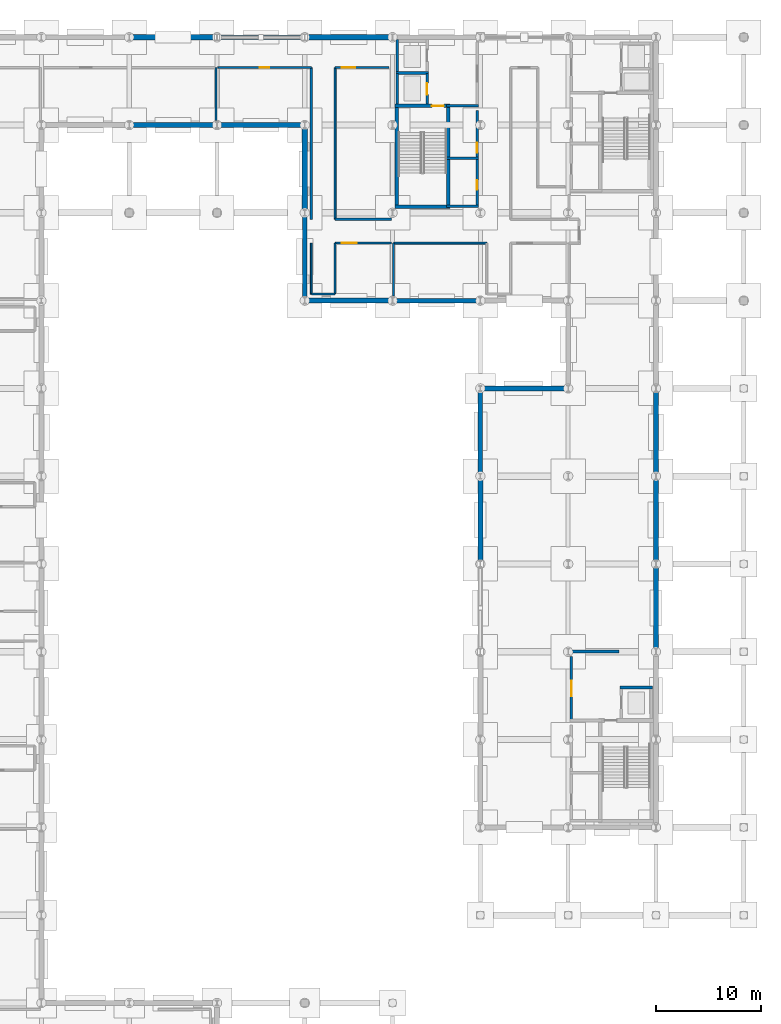
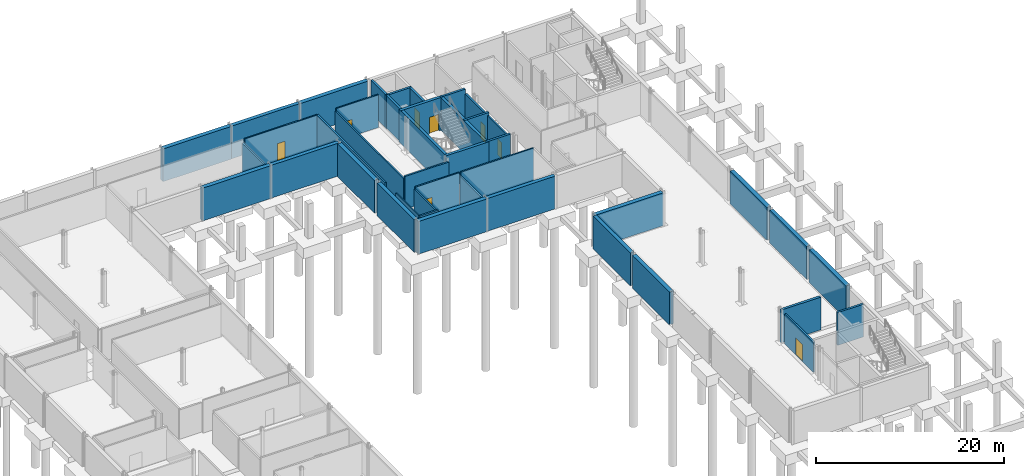
# One storey, part 32 of 43: 43 walls, 8 doors, 8 openings.
"""IFC4 building model written with IfcOpenShell, lengths in metres."""

from ifc_helpers import new_model, si_unit, direction, frame, frame_2d, origin, place, context, subcontext, project, spatial, rectangle, extrude, material, layer, layer_set, type_object, element, fill, save


model = new_model("IFC4")

# Units and contexts
model_context = context("Model", 3, precision=1e-05, world=origin(), true_north=direction((0.0, 1.0)))
body_context = subcontext(model_context, "Body", "Model", "MODEL_VIEW")
ifc_project = project(units=[si_unit("LENGTHUNIT", "METRE"), si_unit("AREAUNIT", "SQUARE_METRE"), si_unit("VOLUMEUNIT", "CUBIC_METRE"), si_unit("PLANEANGLEUNIT", "RADIAN"), si_unit("MASSUNIT", "GRAM", prefix="KILO")], contexts=[model_context])

# Site, building, storey
site_placement = place(None, origin())
site = spatial("IfcSite", under=ifc_project, at=site_placement, CompositionType="ELEMENT")
building_placement = place(site_placement, origin())
building = spatial("IfcBuilding", under=site, at=building_placement, Name="Mersafa Astral City Hall", CompositionType="ELEMENT")
storey_placement = place(building_placement, frame((0.0, 0.0, -4.5)))
storey = spatial("IfcBuildingStorey", under=building, at=storey_placement, Name="B1", CompositionType="ELEMENT", Elevation=-4.5)

# Walls
ifc_material_1 = material(Name="Concrete C40/50", Category="concrete")
ifc_layer_1 = layer(ifc_material_1, 0.449951171875, Name="Concrete C40/50")
ifc_layer_set_1 = layer_set([ifc_layer_1], Name="Concrete C40/50 — ENV-WAL-RET-450")
wall_type_1 = type_object("IfcWallType", Name="ENV-WAL-RET-450", PredefinedType="USERDEFINED", material=ifc_layer_set_1)
wall_1_placement = place(storey_placement, frame((134.407958984375, 117.60009765625, 0.0), z_axis=(0.0, 0.0, 1.0), x_axis=(1.0, 0.0, 0.0)))
element("IfcWall", 1, at=wall_1_placement, inside=storey, type_object=wall_type_1, Name="B1 Perimeter retaining wall 15", ObjectType="RETAININGWALL", PredefinedType="USERDEFINED", context=body_context, shape_type="SweptSolid", body=[
    extrude(rectangle(XDim=8.384033203125, YDim=0.449951171875, at=frame_2d((4.19189453125, 0.0))), origin(), (0.0, 0.0, 1.0), 4.25),
])
wall_2_placement = place(storey_placement, frame((142.800048828125, 108.9150390625, 0.0), z_axis=(0.0, 0.0, 1.0), x_axis=(0.0, -1.0, 0.0)))
element("IfcWall", 2, at=wall_2_placement, inside=storey, type_object=wall_type_1, Name="B1 Perimeter retaining wall 17", ObjectType="RETAININGWALL", PredefinedType="USERDEFINED", context=body_context, shape_type="SweptSolid", body=[
    extrude(rectangle(XDim=7.830078125, YDim=0.449951171875, at=frame_2d((3.9150390625, 0.0))), origin(), (0.0, 0.0, 1.0), 4.25),
])
wall_3_placement = place(storey_placement, frame((151.2080078125, 100.800048828125, 0.0), z_axis=(0.0, 0.0, 1.0), x_axis=(1.0, 0.0, 0.0)))
element("IfcWall", 3, at=wall_3_placement, inside=storey, type_object=wall_type_1, Name="B1 Perimeter retaining wall 19", ObjectType="RETAININGWALL", PredefinedType="USERDEFINED", context=body_context, shape_type="SweptSolid", body=[
    extrude(rectangle(XDim=8.384033203125, YDim=0.449951171875, at=frame_2d((4.19189453125, 0.0))), origin(), (0.0, 0.0, 1.0), 4.25),
])
wall_4_placement = place(storey_placement, frame((159.60009765625, 92.1650390625, 0.0), z_axis=(0.0, 0.0, 1.0), x_axis=(0.0, -1.0, 0.0)))
element("IfcWall", 4, at=wall_4_placement, inside=storey, type_object=wall_type_1, Name="B1 Perimeter retaining wall 23", ObjectType="RETAININGWALL", PredefinedType="USERDEFINED", context=body_context, shape_type="SweptSolid", body=[
    extrude(rectangle(XDim=7.929931640625, YDim=0.449951171875, at=frame_2d((3.96484375, 0.0))), origin(), (0.0, 0.0, 1.0), 4.25),
])
wall_5_placement = place(storey_placement, frame((176.39990234375, 75.885009765625, 0.0), z_axis=(0.0, 0.0, 1.0), x_axis=(0.0, 1.0, 0.0)))
element("IfcWall", 5, at=wall_5_placement, inside=storey, type_object=wall_type_1, Name="B1 Perimeter retaining wall 33", ObjectType="RETAININGWALL", PredefinedType="USERDEFINED", context=body_context, shape_type="SweptSolid", body=[
    extrude(rectangle(XDim=7.830078125, YDim=0.449951171875, at=frame_2d((3.9150390625, 0.0))), origin(), (0.0, 0.0, 1.0), 4.25),
])
wall_6_placement = place(storey_placement, frame((142.7919921875, 126.0, 0.0), z_axis=(0.0, 0.0, 1.0), x_axis=(-1.0, 0.0, 0.0)))
element("IfcWall", 6, at=wall_6_placement, inside=storey, type_object=wall_type_1, Name="B1 Perimeter retaining wall 43", ObjectType="RETAININGWALL", PredefinedType="USERDEFINED", context=body_context, shape_type="SweptSolid", body=[
    extrude(rectangle(XDim=8.384033203125, YDim=0.449951171875, at=frame_2d((4.19189453125, 0.0))), origin(), (0.0, 0.0, 1.0), 4.25),
])
ifc_layer_2 = layer(ifc_material_1, 0.5, Name="Concrete C40/50")
ifc_layer_set_2 = layer_set([ifc_layer_2], Name="Concrete C40/50 — ENV-WAL-RET-500")
wall_type_2 = type_object("IfcWallType", Name="ENV-WAL-RET-500", PredefinedType="USERDEFINED", material=ifc_layer_set_2)
wall_7_placement = place(storey_placement, frame((126.008056640625, 117.60009765625, 0.0), z_axis=(0.0, 0.0, 1.0), x_axis=(1.0, 0.0, 0.0)))
element("IfcWall", 7, at=wall_7_placement, inside=storey, type_object=wall_type_2, Name="B1 Perimeter retaining wall 14", ObjectType="RETAININGWALL", PredefinedType="USERDEFINED", context=body_context, shape_type="SweptSolid", body=[
    extrude(rectangle(XDim=8.384033203125, YDim=0.5, at=frame_2d((4.19189453125, 0.0))), origin(), (0.0, 0.0, 1.0), 4.25),
])
wall_8_placement = place(storey_placement, frame((142.800048828125, 117.31494140625, 0.0), z_axis=(0.0, 0.0, 1.0), x_axis=(0.0, -1.0, 0.0)))
element("IfcWall", 8, at=wall_8_placement, inside=storey, type_object=wall_type_2, Name="B1 Perimeter retaining wall 16", ObjectType="RETAININGWALL", PredefinedType="USERDEFINED", context=body_context, shape_type="SweptSolid", body=[
    extrude(rectangle(XDim=7.829833984375, YDim=0.5, at=frame_2d((3.9150390625, 0.0))), origin(), (0.0, 0.0, 1.0), 4.25),
])
wall_9_placement = place(storey_placement, frame((142.80810546875, 100.800048828125, 0.0), z_axis=(0.0, 0.0, 1.0), x_axis=(1.0, 0.0, 0.0)))
element("IfcWall", 9, at=wall_9_placement, inside=storey, type_object=wall_type_2, Name="B1 Perimeter retaining wall 18", ObjectType="RETAININGWALL", PredefinedType="USERDEFINED", context=body_context, shape_type="SweptSolid", body=[
    extrude(rectangle(XDim=8.3837890625, YDim=0.5, at=frame_2d((4.19189453125, 0.0))), origin(), (0.0, 0.0, 1.0), 4.25),
])
wall_10_placement = place(storey_placement, frame((167.991943359375, 92.39990234375, 0.0), z_axis=(0.0, 0.0, 1.0), x_axis=(-1.0, 0.0, 0.0)))
element("IfcWall", 10, at=wall_10_placement, inside=storey, type_object=wall_type_2, Name="B1 Perimeter retaining wall 22", ObjectType="RETAININGWALL", PredefinedType="USERDEFINED", context=body_context, shape_type="SweptSolid", body=[
    extrude(rectangle(XDim=8.384033203125, YDim=0.5, at=frame_2d((4.19189453125, 0.0))), origin(), (0.0, 0.0, 1.0), 4.25),
])
wall_11_placement = place(storey_placement, frame((159.60009765625, 83.764892578125, 0.0), z_axis=(0.0, 0.0, 1.0), x_axis=(0.0, -1.0, 0.0)))
element("IfcWall", 11, at=wall_11_placement, inside=storey, type_object=wall_type_2, Name="B1 Perimeter retaining wall 24", ObjectType="RETAININGWALL", PredefinedType="USERDEFINED", context=body_context, shape_type="SweptSolid", body=[
    extrude(rectangle(XDim=7.8798828125, YDim=0.5, at=frame_2d((3.93994140625, 0.0))), origin(), (0.0, 0.0, 1.0), 4.25),
])
wall_12_placement = place(storey_placement, frame((176.39990234375, 67.485107421875, 0.0), z_axis=(0.0, 0.0, 1.0), x_axis=(0.0, 1.0, 0.0)))
element("IfcWall", 12, at=wall_12_placement, inside=storey, type_object=wall_type_2, Name="B1 Perimeter retaining wall 32", ObjectType="RETAININGWALL", PredefinedType="USERDEFINED", context=body_context, shape_type="SweptSolid", body=[
    extrude(rectangle(XDim=7.829833984375, YDim=0.5, at=frame_2d((3.9150390625, 0.0))), origin(), (0.0, 0.0, 1.0), 4.25),
])
wall_13_placement = place(storey_placement, frame((176.39990234375, 84.284912109375, 0.0), z_axis=(0.0, 0.0, 1.0), x_axis=(0.0, 1.0, 0.0)))
element("IfcWall", 13, at=wall_13_placement, inside=storey, type_object=wall_type_2, Name="B1 Perimeter retaining wall 34", ObjectType="RETAININGWALL", PredefinedType="USERDEFINED", context=body_context, shape_type="SweptSolid", body=[
    extrude(rectangle(XDim=7.830078125, YDim=0.5, at=frame_2d((3.9150390625, 0.0))), origin(), (0.0, 0.0, 1.0), 4.25),
])
wall_14_placement = place(storey_placement, frame((151.19189453125, 126.0, 0.0), z_axis=(0.0, 0.0, 1.0), x_axis=(-1.0, 0.0, 0.0)))
element("IfcWall", 14, at=wall_14_placement, inside=storey, type_object=wall_type_2, Name="B1 Perimeter retaining wall 42", ObjectType="RETAININGWALL", PredefinedType="USERDEFINED", context=body_context, shape_type="SweptSolid", body=[
    extrude(rectangle(XDim=8.3837890625, YDim=0.5, at=frame_2d((4.19189453125, 0.0))), origin(), (0.0, 0.0, 1.0), 4.25),
])
wall_15_placement = place(storey_placement, frame((134.39208984375, 126.0, 0.0), z_axis=(0.0, 0.0, 1.0), x_axis=(-1.0, 0.0, 0.0)))
element("IfcWall", 15, at=wall_15_placement, inside=storey, type_object=wall_type_2, Name="B1 Perimeter retaining wall 44", ObjectType="RETAININGWALL", PredefinedType="USERDEFINED", context=body_context, shape_type="SweptSolid", body=[
    extrude(rectangle(XDim=8.384033203125, YDim=0.5, at=frame_2d((4.19189453125, 0.0))), origin(), (0.0, 0.0, 1.0), 4.25),
])
ifc_layer_3 = layer(ifc_material_1, 0.260009765625, Name="Concrete C40/50")
ifc_layer_set_3 = layer_set([ifc_layer_3], Name="Concrete C40/50 — INT-WAL-CORE-260")
wall_type_3 = type_object("IfcWallType", Name="INT-WAL-CORE-260", PredefinedType="SHEAR", material=ifc_layer_set_3)
wall_16_placement = place(storey_placement, frame((151.514892578125, 122.5849609375, 0.0), z_axis=(0.0, 0.0, 1.0), x_axis=(1.0, 0.0, 0.0)))
element("IfcWall", 16, at=wall_16_placement, inside=storey, type_object=wall_type_3, Name="B1 Lift LF1 north shaft wall", PredefinedType="SHEAR", context=body_context, shape_type="SweptSolid", body=[
    extrude(rectangle(XDim=3.130126953125, YDim=0.260009765625, at=frame_2d((1.56494140625, 0.0))), origin(), (0.0, 0.0, 1.0), 4.25),
])
wall_17_placement = place(storey_placement, frame((151.64501953125, 119.596923828125, 0.0), z_axis=(0.0, 0.0, 1.0), x_axis=(0.0, 1.0, 0.0)))
element("IfcWall", 17, at=wall_17_placement, inside=storey, type_object=wall_type_3, Name="B1 Lift LF1 back shaft wall", PredefinedType="SHEAR", context=body_context, shape_type="SweptSolid", body=[
    extrude(rectangle(XDim=2.947998046875, YDim=0.260009765625, at=frame_2d((1.47412109375, 0.0))), origin(), (0.0, 0.0, 1.0), 4.25),
])

# Wall, opening, door
wall_18_placement = place(storey_placement, frame((154.514892578125, 119.596923828125, 0.0), z_axis=(0.0, 0.0, 1.0), x_axis=(0.0, 1.0, 0.0)))
wall_18 = element("IfcWall", 18, at=wall_18_placement, inside=storey, type_object=wall_type_3, Name="B1 Lift LF1 front shaft wall", PredefinedType="SHEAR", context=body_context, shape_type="SweptSolid", body=[
    extrude(rectangle(XDim=2.947998046875, YDim=0.260009765625, at=frame_2d((1.47412109375, 0.0))), origin(), (0.0, 0.0, 1.0), 4.25),
])
opening_1_placement = place(wall_18_placement, frame((0.924072265625, 0.0, 0.0)))
opening_1 = element("IfcOpeningElement", 19, at=opening_1_placement, cuts=wall_18, Name="Opening LD-1", PredefinedType="OPENING", context=body_context, shape_type="SweptSolid", body=[
    extrude(rectangle(XDim=1.10009765625, YDim=2.14990234375, at=frame_2d((0.550048828125, 1.074951171875))), frame((0.0, 0.139892578125, 0.0), z_axis=(0.0, -1.0, 0.0), x_axis=(1.0, 0.0, 0.0)), (0.0, 0.0, 1.0), 0.280029296875),
])
ifc_material_2 = material(Name="Stainless steel sliding lift landing door", Category="steel")
door_type_1 = type_object("IfcDoorType", Name="INT-DR-LIFT-LD1", OperationType="NOTDEFINED", PredefinedType="DOOR", material=ifc_material_2)
door_1_placement = place(opening_1_placement, origin())
door_1 = element("IfcDoor", 20, at=door_1_placement, inside=storey, type_object=door_type_1, Name="Elevator LF1 Sliding Landing Door B1", OperationType="DOUBLE_DOOR_SLIDING", OverallHeight=2.14990234375, OverallWidth=1.10009765625, PredefinedType="DOOR", context=body_context, shape_type="SweptSolid", body=[
    extrude(rectangle(XDim=1.10009765625, YDim=2.14990234375, at=frame_2d((0.550048828125, 1.074951171875))), frame((0.0, 0.02490234375, 0.0), z_axis=(0.0, -1.0, 0.0), x_axis=(1.0, 0.0, 0.0)), (0.0, 0.0, 1.0), 0.050048828125),
])
fill(opening_1, door_1)

# Walls
wall_19_placement = place(storey_placement, frame((151.64501953125, 122.705078125, 0.0), z_axis=(0.0, 0.0, 1.0), x_axis=(0.0, 1.0, 0.0)))
element("IfcWall", 21, at=wall_19_placement, inside=storey, type_object=wall_type_3, Name="B1 Lift LF3 back shaft wall", PredefinedType="SHEAR", context=body_context, shape_type="SweptSolid", body=[
    extrude(rectangle(XDim=3.059814453125, YDim=0.260009765625, at=frame_2d((1.52978515625, 0.0))), origin(), (0.0, 0.0, 1.0), 4.25),
])
for number, where, z_axis, x_axis, name in (
    (22, (156.364990234375, 109.820068359375, 0.0), (0.0, 0.0, 1.0), (1.0, 0.0, 0.0), "B1 Core K1 riser south wall"),
    (23, (156.364990234375, 114.43505859375, 0.0), (0.0, 0.0, 1.0), (1.0, 0.0, 0.0), "B1 Core K1 riser-restroom divider wall"),
    (24, (156.364990234375, 119.43505859375, 0.0), (0.0, 0.0, 1.0), (1.0, 0.0, 0.0), "B1 Core K1 restroom-lobby divider wall"),
):
    element("IfcWall", number, at=place(storey_placement, frame(where, z_axis=z_axis, x_axis=x_axis)), inside=storey, type_object=wall_type_3, Name=name, PredefinedType="SHEAR", context=body_context, shape_type="SweptSolid", body=[
        extrude(rectangle(XDim=3.034912109375, YDim=0.260009765625, at=frame_2d((1.517578125, 0.0))), origin(), (0.0, 0.0, 1.0), 4.25),
    ])
wall_20_placement = place(storey_placement, frame((172.955078125, 63.784912109375, 0.0), z_axis=(0.0, 0.0, 1.0), x_axis=(1.0, 0.0, 0.0)))
element("IfcWall", 25, at=wall_20_placement, inside=storey, type_object=wall_type_3, Name="B1 Lift LF6 north shaft wall", PredefinedType="SHEAR", context=body_context, shape_type="SweptSolid", body=[
    extrude(rectangle(XDim=3.1298828125, YDim=0.260009765625, at=frame_2d((1.56494140625, 0.0))), origin(), (0.0, 0.0, 1.0), 4.25),
])
ifc_layer_4 = layer(ifc_material_1, 0.300048828125, Name="Concrete C40/50")
ifc_layer_set_4 = layer_set([ifc_layer_4], Name="Concrete C40/50 — INT-WAL-CORE-300")
wall_type_4 = type_object("IfcWallType", Name="INT-WAL-CORE-300", PredefinedType="SHEAR", material=ifc_layer_set_4)
wall_21_placement = place(storey_placement, frame((167.97998046875, 67.2099609375, 0.0), z_axis=(0.0, 0.0, 1.0), x_axis=(1.0, 0.0, 0.0)))
element("IfcWall", 26, at=wall_21_placement, inside=storey, type_object=wall_type_4, Name="B1 Core K4 lobby north shear wall", PredefinedType="SHEAR", context=body_context, shape_type="SweptSolid", body=[
    extrude(rectangle(XDim=4.8701171875, YDim=0.300048828125, at=frame_2d((2.43505859375, 0.0))), origin(), (0.0, 0.0, 1.0), 4.25),
])
ifc_layer_5 = layer(ifc_material_1, 0.340087890625, Name="Concrete C40/50")
ifc_layer_set_5 = layer_set([ifc_layer_5], Name="Concrete C40/50 — INT-WAL-CORE-340")
wall_type_5 = type_object("IfcWallType", Name="INT-WAL-CORE-340", PredefinedType="SHEAR", material=ifc_layer_set_5)
for number, where, z_axis, x_axis, name in (
    (27, (151.60498046875, 109.60498046875, 0.0), (0.0, 0.0, 1.0), (0.0, 1.0, 0.0), "B1 Core K1 stair west shear wall"),
    (28, (156.514892578125, 109.60498046875, 0.0), (0.0, 0.0, 1.0), (0.0, 1.0, 0.0), "B1 Core K1 stair east shear wall"),
):
    element("IfcWall", number, at=place(storey_placement, frame(where, z_axis=z_axis, x_axis=x_axis)), inside=storey, type_object=wall_type_5, Name=name, PredefinedType="SHEAR", context=body_context, shape_type="SweptSolid", body=[
        extrude(rectangle(XDim=9.989990234375, YDim=0.340087890625, at=frame_2d((4.9951171875, 0.0))), origin(), (0.0, 0.0, 1.0), 4.25),
    ])
wall_22_placement = place(storey_placement, frame((151.43505859375, 109.77490234375, 0.0), z_axis=(0.0, 0.0, 1.0), x_axis=(1.0, 0.0, 0.0)))
element("IfcWall", 29, at=wall_22_placement, inside=storey, type_object=wall_type_5, Name="B1 Core K1 stair south shear wall", PredefinedType="SHEAR", context=body_context, shape_type="SweptSolid", body=[
    extrude(rectangle(XDim=5.25, YDim=0.340087890625, at=frame_2d((2.625, 0.0))), origin(), (0.0, 0.0, 1.0), 4.25),
])

# Wall, opening, door
wall_23_placement = place(storey_placement, frame((151.43505859375, 119.425048828125, 0.0), z_axis=(0.0, 0.0, 1.0), x_axis=(1.0, 0.0, 0.0)))
wall_23 = element("IfcWall", 30, at=wall_23_placement, inside=storey, type_object=wall_type_5, Name="B1 Core K1 stair-lobby fire wall", PredefinedType="SHEAR", context=body_context, shape_type="SweptSolid", body=[
    extrude(rectangle(XDim=5.25, YDim=0.340087890625, at=frame_2d((2.625, 0.0))), origin(), (0.0, 0.0, 1.0), 4.25),
])
opening_2_placement = place(wall_23_placement, frame((3.534912109375, 0.0, 0.0)))
opening_2 = element("IfcOpeningElement", 31, at=opening_2_placement, cuts=wall_23, Name="Opening CD-1", PredefinedType="OPENING", context=body_context, shape_type="SweptSolid", body=[
    extrude(rectangle(XDim=1.14990234375, YDim=2.14990234375, at=frame_2d((0.574951171875, 1.074951171875))), frame((0.0, 0.179931640625, 0.0), z_axis=(0.0, -1.0, 0.0), x_axis=(1.0, 0.0, 0.0)), (0.0, 0.0, 1.0), 0.360107421875),
])
ifc_material_3 = material(Name="Fire-rated steel stair door", Category="steel")
door_type_2 = type_object("IfcDoorType", Name="INT-DR-STAIR-FD90-1150", OperationType="NOTDEFINED", PredefinedType="DOOR", material=ifc_material_3)
door_2_placement = place(opening_2_placement, origin())
door_2 = element("IfcDoor", 32, at=door_2_placement, inside=storey, type_object=door_type_2, Name="B1 Protected Stair ST1 Door", OperationType="SINGLE_SWING_LEFT", OverallHeight=2.14990234375, OverallWidth=1.14990234375, PredefinedType="DOOR", context=body_context, shape_type="SweptSolid", body=[
    extrude(rectangle(XDim=1.14990234375, YDim=2.14990234375, at=frame_2d((0.574951171875, 1.074951171875))), frame((0.0, 0.02490234375, 0.0), z_axis=(0.0, -1.0, 0.0), x_axis=(1.0, 0.0, 0.0)), (0.0, 0.0, 1.0), 0.050048828125),
])
fill(opening_2, door_2)

ifc_material_4 = material(Name="Fire-rated gypsum stud partition", Category="gypsum")
ifc_layer_6 = layer(ifc_material_4, 0.1650390625, Name="Fire-rated gypsum stud partition")
ifc_layer_set_6 = layer_set([ifc_layer_6], Name="Fire-rated gypsum stud partition — INT-WAL-PART-EI60-165")
wall_type_6 = type_object("IfcWallType", Name="INT-WAL-PART-EI60-165", PredefinedType="STANDARD", material=ifc_layer_set_6)
wall_24_placement = place(storey_placement, frame((145.699951171875, 123.10009765625, -0.00390625), z_axis=(0.0, 0.0, 1.0), x_axis=(1.0, 0.0, 0.0)))
wall_24 = element("IfcWall", 33, at=wall_24_placement, inside=storey, type_object=wall_type_6, Name="B1 Interior partition wall 75", PredefinedType="STANDARD", context=body_context, shape_type="SweptSolid", body=[
    extrude(rectangle(XDim=5.16015625, YDim=0.1650390625, at=frame_2d((2.580078125, 0.0))), origin(), (0.0, 0.0, 1.0), 4.25390625),
])
opening_3_placement = place(wall_24_placement, frame((0.64990234375, 0.0, 0.014892578125)))
opening_3 = element("IfcOpeningElement", 34, at=opening_3_placement, cuts=wall_24, Name="Opening D-15", PredefinedType="OPENING", context=body_context, shape_type="SweptSolid", body=[
    extrude(rectangle(XDim=1.280029296875, YDim=2.139892578125, at=frame_2d((0.64013671875, 1.06982421875))), frame((0.0, 0.092529296875, 0.0), z_axis=(0.0, -1.0, 0.0), x_axis=(1.0, 0.0, 0.0)), (0.0, 0.0, 1.0), 0.18505859375),
])
ifc_material_5 = material(Name="Cedar veneered acoustic fire-rated timber door", Category="wood")
door_type_3 = type_object("IfcDoorType", Name="INT-DR-RM-D-15", OperationType="NOTDEFINED", PredefinedType="DOOR", material=ifc_material_5)
door_3_placement = place(opening_3_placement, origin())
door_3 = element("IfcDoor", 35, at=door_3_placement, inside=storey, type_object=door_type_3, Name="B1 Compact Shelving Vault B1-14 Entrance Door", OperationType="SINGLE_SWING_LEFT", OverallHeight=2.139892578125, OverallWidth=1.280029296875, PredefinedType="DOOR", context=body_context, shape_type="SweptSolid", body=[
    extrude(rectangle(XDim=1.280029296875, YDim=2.139892578125, at=frame_2d((0.64013671875, 1.06982421875))), frame((0.0, 0.02490234375, 0.0), z_axis=(0.0, -1.0, 0.0), x_axis=(1.0, 0.0, 0.0)), (0.0, 0.0, 1.0), 0.050048828125),
])
fill(opening_3, door_3)

wall_25_placement = place(storey_placement, frame((134.489990234375, 123.10009765625, -0.00390625), z_axis=(0.0, 0.0, 1.0), x_axis=(1.0, 0.0, 0.0)))
wall_25 = element("IfcWall", 36, at=wall_25_placement, inside=storey, type_object=wall_type_6, Name="B1 Interior partition wall 87", PredefinedType="STANDARD", context=body_context, shape_type="SweptSolid", body=[
    extrude(rectangle(XDim=8.929931640625, YDim=0.1650390625, at=frame_2d((4.46484375, 0.0))), origin(), (0.0, 0.0, 1.0), 4.25390625),
])
opening_4_placement = place(wall_25_placement, frame((4.0048828125, 0.0, 0.014892578125)))
opening_4 = element("IfcOpeningElement", 37, at=opening_4_placement, cuts=wall_25, Name="Opening D-19", PredefinedType="OPENING", context=body_context, shape_type="SweptSolid", body=[
    extrude(rectangle(XDim=0.919921875, YDim=2.219970703125, at=frame_2d((0.4599609375, 1.10986328125))), frame((0.0, 0.092529296875, 0.0), z_axis=(0.0, -1.0, 0.0), x_axis=(1.0, 0.0, 0.0)), (0.0, 0.0, 1.0), 0.18505859375),
])
door_type_4 = type_object("IfcDoorType", Name="INT-DR-RM-D-19", OperationType="NOTDEFINED", PredefinedType="DOOR", material=ifc_material_5)
door_4_placement = place(opening_4_placement, origin())
door_4 = element("IfcDoor", 38, at=door_4_placement, inside=storey, type_object=door_type_4, Name="B1 Electrical Substation Room B1-18 Entrance Door", OperationType="SINGLE_SWING_LEFT", OverallHeight=2.219970703125, OverallWidth=0.919921875, PredefinedType="DOOR", context=body_context, shape_type="SweptSolid", body=[
    extrude(rectangle(XDim=0.919921875, YDim=2.219970703125, at=frame_2d((0.4599609375, 1.10986328125))), frame((0.0, 0.02490234375, 0.0), z_axis=(0.0, -1.0, 0.0), x_axis=(1.0, 0.0, 0.0)), (0.0, 0.0, 1.0), 0.050048828125),
])
fill(opening_4, door_4)

# Walls
wall_26_placement = place(storey_placement, frame((143.419921875, 106.300048828125, -0.00390625), z_axis=(0.0, 0.0, 1.0), x_axis=(0.0, -1.0, 0.0)))
element("IfcWall", 39, at=wall_26_placement, inside=storey, type_object=wall_type_6, Name="B1 Interior partition wall 103", PredefinedType="STANDARD", context=body_context, shape_type="SweptSolid", body=[
    extrude(rectangle(XDim=4.880126953125, YDim=0.1650390625, at=frame_2d((2.43994140625, 0.0))), origin(), (0.0, 0.0, 1.0), 4.25390625),
])
ifc_material_6 = material(Name="Acoustic twin-stud gypsum partition", Category="gypsum")
ifc_layer_7 = layer(ifc_material_6, 0.179931640625, Name="Acoustic twin-stud gypsum partition")
ifc_layer_set_7 = layer_set([ifc_layer_7], Name="Acoustic twin-stud gypsum partition — INT-WAL-PART-EI60-180")
wall_type_7 = type_object("IfcWallType", Name="INT-WAL-PART-EI60-180", PredefinedType="STANDARD", material=ifc_layer_set_7)
wall_27_placement = place(storey_placement, frame((145.699951171875, 108.580078125, -0.00390625), z_axis=(0.0, 0.0, 1.0), x_axis=(0.0, 1.0, 0.0)))
element("IfcWall", 40, at=wall_27_placement, inside=storey, type_object=wall_type_7, Name="B1 Interior partition wall 74", PredefinedType="STANDARD", context=body_context, shape_type="SweptSolid", body=[
    extrude(rectangle(XDim=14.52001953125, YDim=0.179931640625, at=frame_2d((7.260009765625, 0.0))), origin(), (0.0, 0.0, 1.0), 3.935791015625),
])
wall_28_placement = place(storey_placement, frame((151.2900390625, 106.300048828125, -0.00390625), z_axis=(0.0, 0.0, 1.0), x_axis=(1.0, 0.0, 0.0)))
element("IfcWall", 41, at=wall_28_placement, inside=storey, type_object=wall_type_7, Name="B1 Interior partition wall 78", PredefinedType="STANDARD", context=body_context, shape_type="SweptSolid", body=[
    extrude(rectangle(XDim=8.929931640625, YDim=0.179931640625, at=frame_2d((4.46484375, 0.0))), origin(), (0.0, 0.0, 1.0), 4.25390625),
])

# Wall, opening, door
wall_29_placement = place(storey_placement, frame((145.699951171875, 106.300048828125, -0.00390625), z_axis=(0.0, 0.0, 1.0), x_axis=(1.0, 0.0, 0.0)))
wall_29 = element("IfcWall", 42, at=wall_29_placement, inside=storey, type_object=wall_type_7, Name="B1 Interior partition wall 106", PredefinedType="STANDARD", context=body_context, shape_type="SweptSolid", body=[
    extrude(rectangle(XDim=5.41015625, YDim=0.179931640625, at=frame_2d((2.705078125, 0.0))), origin(), (0.0, 0.0, 1.0), 4.25390625),
])
opening_5_placement = place(wall_29_placement, frame((0.652587890625, 0.0, 0.014892578125)))
opening_5 = element("IfcOpeningElement", 43, at=opening_5_placement, cuts=wall_29, Name="Opening D-25", PredefinedType="OPENING", context=body_context, shape_type="SweptSolid", body=[
    extrude(rectangle(XDim=1.39990234375, YDim=2.219970703125, at=frame_2d((0.699951171875, 1.10986328125))), frame((0.0, 0.099853515625, 0.0), z_axis=(0.0, -1.0, 0.0), x_axis=(1.0, 0.0, 0.0)), (0.0, 0.0, 1.0), 0.199951171875),
])
door_type_5 = type_object("IfcDoorType", Name="INT-DR-RM-D-25", OperationType="NOTDEFINED", PredefinedType="DOOR", material=ifc_material_5)
door_5_placement = place(opening_5_placement, origin())
door_5 = element("IfcDoor", 44, at=door_5_placement, inside=storey, type_object=door_type_5, Name="B1 Central Mail & Courier Sorting Room B1-24 Entrance Door", OperationType="SINGLE_SWING_LEFT", OverallHeight=2.219970703125, OverallWidth=1.39990234375, PredefinedType="DOOR", context=body_context, shape_type="SweptSolid", body=[
    extrude(rectangle(XDim=1.39990234375, YDim=2.219970703125, at=frame_2d((0.699951171875, 1.10986328125))), frame((0.0, 0.02490234375, 0.0), z_axis=(0.0, -1.0, 0.0), x_axis=(1.0, 0.0, 0.0)), (0.0, 0.0, 1.0), 0.050048828125),
])
fill(opening_5, door_5)

# Walls
ifc_layer_8 = layer(ifc_material_6, 0.195068359375, Name="Acoustic twin-stud gypsum partition")
ifc_layer_set_8 = layer_set([ifc_layer_8], Name="Acoustic twin-stud gypsum partition — INT-WAL-PART-EI60-195")
wall_type_8 = type_object("IfcWallType", Name="INT-WAL-PART-EI60-195", PredefinedType="STANDARD", material=ifc_layer_set_8)
wall_30_placement = place(storey_placement, frame((151.2900390625, 101.219970703125, -0.00390625), z_axis=(0.0, 0.0, 1.0), x_axis=(0.0, 1.0, 0.0)))
element("IfcWall", 45, at=wall_30_placement, inside=storey, type_object=wall_type_8, Name="B1 Interior partition wall 77", PredefinedType="STANDARD", context=body_context, shape_type="SweptSolid", body=[
    extrude(rectangle(XDim=5.080078125, YDim=0.195068359375, at=frame_2d((2.5400390625, 0.0))), origin(), (0.0, 0.0, 1.0), 3.745849609375),
])
wall_31_placement = place(storey_placement, frame((145.699951171875, 101.419921875, -0.00390625), z_axis=(0.0, 0.0, 1.0), x_axis=(0.0, 1.0, 0.0)))
element("IfcWall", 46, at=wall_31_placement, inside=storey, type_object=wall_type_8, Name="B1 Interior partition wall 105", PredefinedType="STANDARD", context=body_context, shape_type="SweptSolid", body=[
    extrude(rectangle(XDim=4.880126953125, YDim=0.195068359375, at=frame_2d((2.43994140625, 0.0))), origin(), (0.0, 0.0, 1.0), 3.995849609375),
])

# Wall, opening, door
ifc_material_7 = material(Name="Autoclaved aerated concrete blockwork plastered", Category="masonry")
ifc_layer_9 = layer(ifc_material_7, 0.2099609375, Name="Autoclaved aerated concrete blockwork plastered")
ifc_layer_set_9 = layer_set([ifc_layer_9], Name="Autoclaved aerated concrete blockwork plastered — INT-WAL-PART-EI60-210")
wall_type_9 = type_object("IfcWallType", Name="INT-WAL-PART-EI60-210", PredefinedType="STANDARD", material=ifc_layer_set_9)
wall_32_placement = place(storey_placement, frame((159.300048828125, 109.820068359375, 0.0), z_axis=(0.0, 0.0, 1.0), x_axis=(0.0, 1.0, 0.0)))
wall_32 = element("IfcWall", 47, at=wall_32_placement, inside=storey, type_object=wall_type_9, Name="B1 Core K1 riser corridor partition", PredefinedType="STANDARD", context=body_context, shape_type="SweptSolid", body=[
    extrude(rectangle(XDim=4.58984375, YDim=0.2099609375, at=frame_2d((2.294921875, 0.0))), origin(), (0.0, 0.0, 1.0), 3.882080078125),
])
opening_6_placement = place(wall_32_placement, frame((1.60009765625, 0.0, 0.0)))
opening_6 = element("IfcOpeningElement", 48, at=opening_6_placement, cuts=wall_32, Name="Opening CD-5", PredefinedType="OPENING", context=body_context, shape_type="SweptSolid", body=[
    extrude(rectangle(XDim=0.89990234375, YDim=2.10009765625, at=frame_2d((0.449951171875, 1.050048828125))), frame((0.0, 0.114990234375, 0.0), z_axis=(0.0, -1.0, 0.0), x_axis=(1.0, 0.0, 0.0)), (0.0, 0.0, 1.0), 0.22998046875),
])
ifc_material_8 = material(Name="Fire-rated steel riser access door", Category="steel")
door_type_6 = type_object("IfcDoorType", Name="INT-DR-RISER-FD60-900", OperationType="NOTDEFINED", PredefinedType="DOOR", material=ifc_material_8)
door_6_placement = place(opening_6_placement, origin())
door_6 = element("IfcDoor", 49, at=door_6_placement, inside=storey, type_object=door_type_6, Name="B1 K1 MEP Riser Access Door", OperationType="SINGLE_SWING_RIGHT", OverallHeight=2.10009765625, OverallWidth=0.89990234375, PredefinedType="DOOR", context=body_context, shape_type="SweptSolid", body=[
    extrude(rectangle(XDim=0.89990234375, YDim=2.10009765625, at=frame_2d((0.449951171875, 1.050048828125))), frame((0.0, 0.02490234375, 0.0), z_axis=(0.0, -1.0, 0.0), x_axis=(1.0, 0.0, 0.0)), (0.0, 0.0, 1.0), 0.050048828125),
])
fill(opening_6, door_6)

wall_33_placement = place(storey_placement, frame((159.300048828125, 114.52001953125, 0.0), z_axis=(0.0, 0.0, 1.0), x_axis=(0.0, 1.0, 0.0)))
wall_33 = element("IfcWall", 50, at=wall_33_placement, inside=storey, type_object=wall_type_9, Name="B1 Core K1 accessible WC corridor partition", PredefinedType="STANDARD", context=body_context, shape_type="SweptSolid", body=[
    extrude(rectangle(XDim=4.47998046875, YDim=0.2099609375, at=frame_2d((2.239990234375, 0.0))), origin(), (0.0, 0.0, 1.0), 3.882080078125),
])
opening_7_placement = place(wall_33_placement, frame((0.449951171875, 0.0, 0.0)))
opening_7 = element("IfcOpeningElement", 51, at=opening_7_placement, cuts=wall_33, Name="Opening CD-4", PredefinedType="OPENING", context=body_context, shape_type="SweptSolid", body=[
    extrude(rectangle(XDim=0.949951171875, YDim=2.14990234375, at=frame_2d((0.47509765625, 1.074951171875))), frame((0.0, 0.114990234375, 0.0), z_axis=(0.0, -1.0, 0.0), x_axis=(1.0, 0.0, 0.0)), (0.0, 0.0, 1.0), 0.22998046875),
])
ifc_material_9 = material(Name="Accessible timber acoustic WC door", Category="wood")
door_type_7 = type_object("IfcDoorType", Name="INT-DR-WC-FD30-950", OperationType="NOTDEFINED", PredefinedType="DOOR", material=ifc_material_9)
door_7_placement = place(opening_7_placement, origin())
door_7 = element("IfcDoor", 52, at=door_7_placement, inside=storey, type_object=door_type_7, Name="B1 K1 Accessible Restroom Door", OperationType="SINGLE_SWING_LEFT", OverallHeight=2.14990234375, OverallWidth=0.949951171875, PredefinedType="DOOR", context=body_context, shape_type="SweptSolid", body=[
    extrude(rectangle(XDim=0.949951171875, YDim=2.14990234375, at=frame_2d((0.47509765625, 1.074951171875))), frame((0.0, 0.02490234375, 0.0), z_axis=(0.0, -1.0, 0.0), x_axis=(1.0, 0.0, 0.0)), (0.0, 0.0, 1.0), 0.050048828125),
])
fill(opening_7, door_7)

wall_34_placement = place(storey_placement, frame((168.300048828125, 60.639892578125, 0.0), z_axis=(0.0, 0.0, 1.0), x_axis=(0.0, 1.0, 0.0)))
wall_34 = element("IfcWall", 53, at=wall_34_placement, inside=storey, type_object=wall_type_9, Name="B1 Core K4 lobby corridor partition", PredefinedType="STANDARD", context=body_context, shape_type="SweptSolid", body=[
    extrude(rectangle(XDim=6.1201171875, YDim=0.2099609375, at=frame_2d((3.06005859375, 0.0))), origin(), (0.0, 0.0, 1.0), 3.882080078125),
])
opening_8_placement = place(wall_34_placement, frame((2.31005859375, 0.0, 0.0)))
opening_8 = element("IfcOpeningElement", 54, at=opening_8_placement, cuts=wall_34, Name="Opening CD-3", PredefinedType="OPENING", context=body_context, shape_type="SweptSolid", body=[
    extrude(rectangle(XDim=1.5, YDim=2.199951171875, at=frame_2d((0.75, 1.10009765625))), frame((0.0, 0.114990234375, 0.0), z_axis=(0.0, -1.0, 0.0), x_axis=(1.0, 0.0, 0.0)), (0.0, 0.0, 1.0), 0.22998046875),
])
ifc_material_10 = material(Name="Fire-rated glazed lobby door pair", Category="metal")
door_type_8 = type_object("IfcDoorType", Name="INT-DR-LOBBY-FD90-1500", OperationType="NOTDEFINED", PredefinedType="DOOR", material=ifc_material_10)
door_8_placement = place(opening_8_placement, origin())
door_8 = element("IfcDoor", 55, at=door_8_placement, inside=storey, type_object=door_type_8, Name="B1 K4 Lift Lobby Fire Door", OperationType="DOUBLE_DOOR_SINGLE_SWING", OverallHeight=2.199951171875, OverallWidth=1.5, PredefinedType="DOOR", context=body_context, shape_type="SweptSolid", body=[
    extrude(rectangle(XDim=1.5, YDim=2.199951171875, at=frame_2d((0.75, 1.10009765625))), frame((0.0, 0.02490234375, 0.0), z_axis=(0.0, -1.0, 0.0), x_axis=(1.0, 0.0, 0.0)), (0.0, 0.0, 1.0), 0.050048828125),
])
fill(opening_8, door_8)

# Walls
wall_35_placement = place(storey_placement, frame((134.31005859375, 123.10009765625, -0.00390625), z_axis=(0.0, 0.0, 1.0), x_axis=(0.0, -1.0, 0.0)))
element("IfcWall", 56, at=wall_35_placement, inside=storey, type_object=wall_type_9, Name="B1 Interior partition wall 68", PredefinedType="STANDARD", context=body_context, shape_type="SweptSolid", body=[
    extrude(rectangle(XDim=5.080078125, YDim=0.2099609375, at=frame_2d((2.5400390625, 0.0))), origin(), (0.0, 0.0, 1.0), 3.745849609375),
])
wall_36_placement = place(storey_placement, frame((151.110107421875, 108.580078125, -0.00390625), z_axis=(0.0, 0.0, 1.0), x_axis=(-1.0, 0.0, 0.0)))
element("IfcWall", 57, at=wall_36_placement, inside=storey, type_object=wall_type_9, Name="B1 Interior partition wall 76", PredefinedType="STANDARD", context=body_context, shape_type="SweptSolid", body=[
    extrude(rectangle(XDim=5.41015625, YDim=0.2099609375, at=frame_2d((2.705078125, 0.0))), origin(), (0.0, 0.0, 1.0), 4.25390625),
])
wall_37_placement = place(storey_placement, frame((143.419921875, 123.10009765625, -0.00390625), z_axis=(0.0, 0.0, 1.0), x_axis=(0.0, -1.0, 0.0)))
element("IfcWall", 58, at=wall_37_placement, inside=storey, type_object=wall_type_9, Name="B1 Interior partition wall 88", PredefinedType="STANDARD", context=body_context, shape_type="SweptSolid", body=[
    extrude(rectangle(XDim=14.52001953125, YDim=0.2099609375, at=frame_2d((7.260009765625, 0.0))), origin(), (0.0, 0.0, 1.0), 4.25390625),
])
wall_38_placement = place(storey_placement, frame((143.419921875, 101.419921875, -0.00390625), z_axis=(0.0, 0.0, 1.0), x_axis=(1.0, 0.0, 0.0)))
element("IfcWall", 59, at=wall_38_placement, inside=storey, type_object=wall_type_9, Name="B1 Interior partition wall 104", PredefinedType="STANDARD", context=body_context, shape_type="SweptSolid", body=[
    extrude(rectangle(XDim=2.280029296875, YDim=0.2099609375, at=frame_2d((1.14013671875, 0.0))), origin(), (0.0, 0.0, 1.0), 4.25390625),
])

save(model, "model.ifc")
